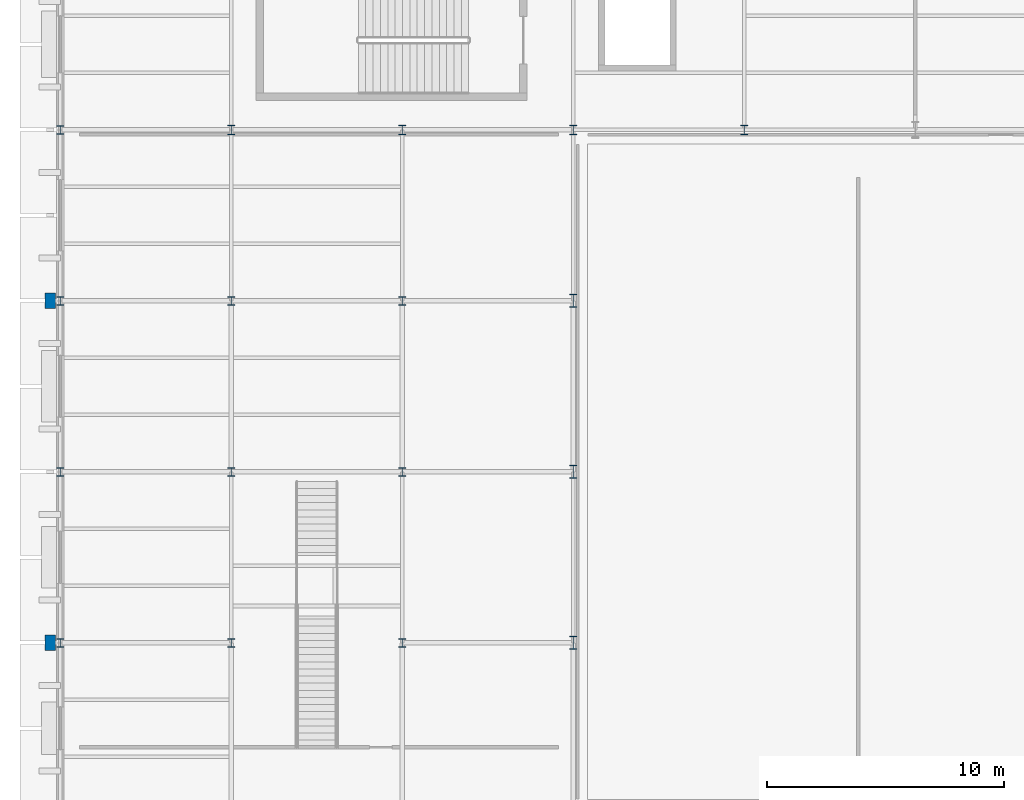
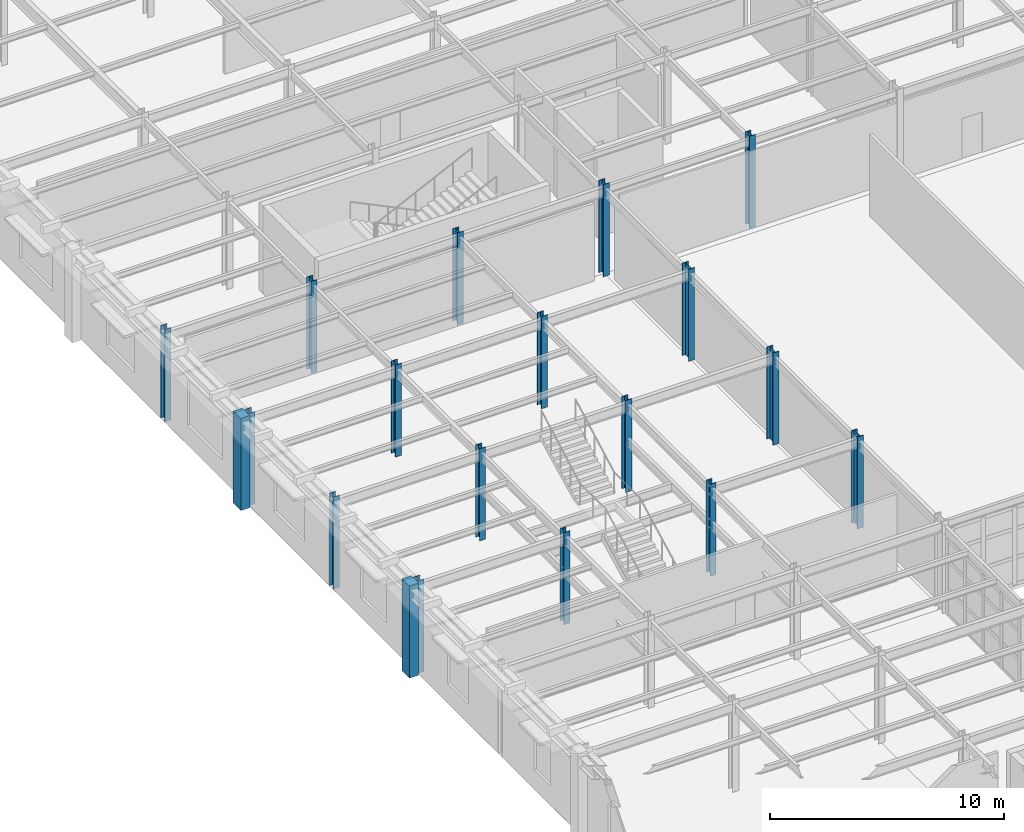
# One storey, part 8 of 126: 19 columns.
"""IFC4 building model written with IfcOpenShell, lengths in metres."""

from ifc_helpers import new_model, si_unit, direction, frame, origin, origin_2d, place, context, subcontext, project, spatial, rectangle, i_section, extrude, material, material_profile, profile_set, type_object, element, save


model = new_model("IFC4")

# Units and contexts
model_context = context("Model", 3, precision=1e-05, world=origin(), true_north=direction((0.0, 1.0)))
body_context = subcontext(model_context, "Body", "Model", "MODEL_VIEW")
ifc_project = project(units=[si_unit("LENGTHUNIT", "METRE"), si_unit("AREAUNIT", "SQUARE_METRE"), si_unit("VOLUMEUNIT", "CUBIC_METRE"), si_unit("PLANEANGLEUNIT", "RADIAN"), si_unit("MASSUNIT", "GRAM", prefix="KILO")], contexts=[model_context])

# Site, building, storey
site_placement = place(None, origin())
site = spatial("IfcSite", under=ifc_project, at=site_placement, CompositionType="ELEMENT")
building_placement = place(site_placement, origin())
building = spatial("IfcBuilding", under=site, at=building_placement, Name="Solvadek Multi-Sports Hall", CompositionType="ELEMENT")
storey_placement = place(building_placement, frame((0.0, 0.0, 9.60009765625)))
storey = spatial("IfcBuildingStorey", under=building, at=storey_placement, Name="L02", CompositionType="ELEMENT", Elevation=9.60009765625)

# Columns
ifc_material_1 = material(Name="Steel E350 (350 MPa)", Category="steel")
ifc_material_profile_1 = material_profile(ifc_material_1, i_section(OverallWidth=0.300048828125, OverallDepth=0.360107421875, WebThickness=0.012451171875, FlangeThickness=0.0224609375, at=origin_2d()), Name="WPB 360")
ifc_profile_set_1 = profile_set([ifc_material_profile_1], Name="Steel E350 (350 MPa)")
column_type_1 = type_object("IfcColumnType", Name="STR-COL-WPB360", PredefinedType="COLUMN", material=ifc_profile_set_1)
for number, where, z_axis, x_axis, name in (
    (1, (0.0, 56.39990234375, 0.0), (0.0, 0.0, 1.0), (1.0, 0.0, 0.0), "L02 Column C-08 #6"),
    (2, (0.0, 63.60009765625, 0.0), (0.0, 0.0, 1.0), (1.0, 0.0, 0.0), "L02 Column C-08 #7"),
    (3, (0.0, 70.800048828125, 0.0), (0.0, 0.0, 1.0), (1.0, 0.0, 0.0), "L02 Column C-08 #8"),
    (4, (0.0, 78.0, 0.0), (0.0, 0.0, 1.0), (1.0, 0.0, 0.0), "L02 Column C-08 #9"),
    (5, (7.199951171875, 56.39990234375, 0.0), (0.0, 0.0, 1.0), (1.0, 0.0, 0.0), "L02 Column C-08 #19"),
    (6, (7.199951171875, 63.60009765625, 0.0), (0.0, 0.0, 1.0), (1.0, 0.0, 0.0), "L02 Column C-08 #20"),
    (7, (7.199951171875, 70.800048828125, 0.0), (0.0, 0.0, 1.0), (1.0, 0.0, 0.0), "L02 Column C-08 #21"),
    (8, (14.39990234375, 56.39990234375, 0.0), (0.0, 0.0, 1.0), (1.0, 0.0, 0.0), "L02 Column C-08 #32"),
    (9, (14.39990234375, 63.60009765625, 0.0), (0.0, 0.0, 1.0), (1.0, 0.0, 0.0), "L02 Column C-08 #33"),
    (10, (14.39990234375, 70.800048828125, 0.0), (0.0, 0.0, 1.0), (1.0, 0.0, 0.0), "L02 Column C-08 #34"),
):
    element("IfcColumn", number, at=place(storey_placement, frame(where, z_axis=z_axis, x_axis=x_axis)), inside=storey, type_object=column_type_1, Name=name, PredefinedType="COLUMN", context=body_context, shape_type="SweptSolid", body=[
        extrude(i_section(OverallWidth=0.300048828125, OverallDepth=0.360107421875, WebThickness=0.012451171875, FlangeThickness=0.0224609375, at=origin_2d()), origin(), (0.0, 0.0, 1.0), 4.7998046875),
    ])
ifc_material_profile_2 = material_profile(ifc_material_1, i_section(OverallWidth=0.300048828125, OverallDepth=0.39990234375, WebThickness=0.013427734375, FlangeThickness=0.02392578125, at=origin_2d()), Name="WPB 400")
ifc_profile_set_2 = profile_set([ifc_material_profile_2], Name="Steel E350 (350 MPa)")
column_type_2 = type_object("IfcColumnType", Name="STR-COL-WPB400", PredefinedType="COLUMN", material=ifc_profile_set_2)
for number, where, z_axis, x_axis, name in (
    (11, (7.199951171875, 78.0, 0.0), (0.0, 0.0, 1.0), (1.0, 0.0, 0.0), "L02 Column C-07 #22"),
    (12, (14.39990234375, 78.0, 0.0), (0.0, 0.0, 1.0), (1.0, 0.0, 0.0), "L02 Column C-07 #35"),
    (13, (21.60009765625, 78.0, 0.0), (0.0, 0.0, 1.0), (1.0, 0.0, 0.0), "L02 Column C-07 #48"),
    (14, (28.800048828125, 78.0, 0.0), (0.0, 0.0, 1.0), (1.0, 0.0, 0.0), "L02 Column C-07 #61"),
):
    element("IfcColumn", number, at=place(storey_placement, frame(where, z_axis=z_axis, x_axis=x_axis)), inside=storey, type_object=column_type_2, Name=name, PredefinedType="COLUMN", context=body_context, shape_type="SweptSolid", body=[
        extrude(i_section(OverallWidth=0.300048828125, OverallDepth=0.39990234375, WebThickness=0.013427734375, FlangeThickness=0.02392578125, at=origin_2d()), origin(), (0.0, 0.0, 1.0), 4.7998046875),
    ])
ifc_material_profile_3 = material_profile(ifc_material_1, i_section(OverallWidth=0.300048828125, OverallDepth=0.550048828125, WebThickness=0.014892578125, FlangeThickness=0.029052734375, at=origin_2d()), Name="WPB 550")
ifc_profile_set_3 = profile_set([ifc_material_profile_3], Name="Steel E350 (350 MPa)")
column_type_3 = type_object("IfcColumnType", Name="STR-COL-WPB550", PredefinedType="COLUMN", material=ifc_profile_set_3)
for number, where, z_axis, x_axis, name in (
    (15, (21.60009765625, 56.39990234375, 0.0), (0.0, 0.0, 1.0), (1.0, 0.0, 0.0), "L02 Column C-04 #45"),
    (16, (21.60009765625, 63.60009765625, 0.0), (0.0, 0.0, 1.0), (1.0, 0.0, 0.0), "L02 Column C-04 #46"),
    (17, (21.60009765625, 70.800048828125, 0.0), (0.0, 0.0, 1.0), (1.0, 0.0, 0.0), "L02 Column C-04 #47"),
):
    element("IfcColumn", number, at=place(storey_placement, frame(where, z_axis=z_axis, x_axis=x_axis)), inside=storey, type_object=column_type_3, Name=name, PredefinedType="COLUMN", context=body_context, shape_type="SweptSolid", body=[
        extrude(i_section(OverallWidth=0.300048828125, OverallDepth=0.550048828125, WebThickness=0.014892578125, FlangeThickness=0.029052734375, at=origin_2d()), origin(), (0.0, 0.0, 1.0), 4.7998046875),
    ])
ifc_material_2 = material(Name="Precast concrete M40", Category="concrete")
ifc_material_profile_4 = material_profile(ifc_material_2, rectangle(XDim=0.449951171875, YDim=0.64990234375, at=origin_2d()), Name="RC PILASTER 650x450")
ifc_profile_set_4 = profile_set([ifc_material_profile_4], Name="Precast concrete M40")
column_type_4 = type_object("IfcColumnType", Name="STR-PIL-650X450", PredefinedType="PILASTER", material=ifc_profile_set_4)
for number, where, z_axis, x_axis, name in (
    (18, (-0.419921875, 56.39990234375, 0.0), (0.0, 0.0, 1.0), (1.0, 0.0, 0.0), "L02 Column CP-01 #314"),
    (19, (-0.419921875, 70.800048828125, 0.0), (0.0, 0.0, 1.0), (1.0, 0.0, 0.0), "L02 Column CP-01 #315"),
):
    element("IfcColumn", number, at=place(storey_placement, frame(where, z_axis=z_axis, x_axis=x_axis)), inside=storey, type_object=column_type_4, Name=name, PredefinedType="PILASTER", context=body_context, shape_type="SweptSolid", body=[
        extrude(rectangle(XDim=0.449951171875, YDim=0.64990234375, at=origin_2d()), origin(), (0.0, 0.0, 1.0), 4.7998046875),
    ])

save(model, "model.ifc")
